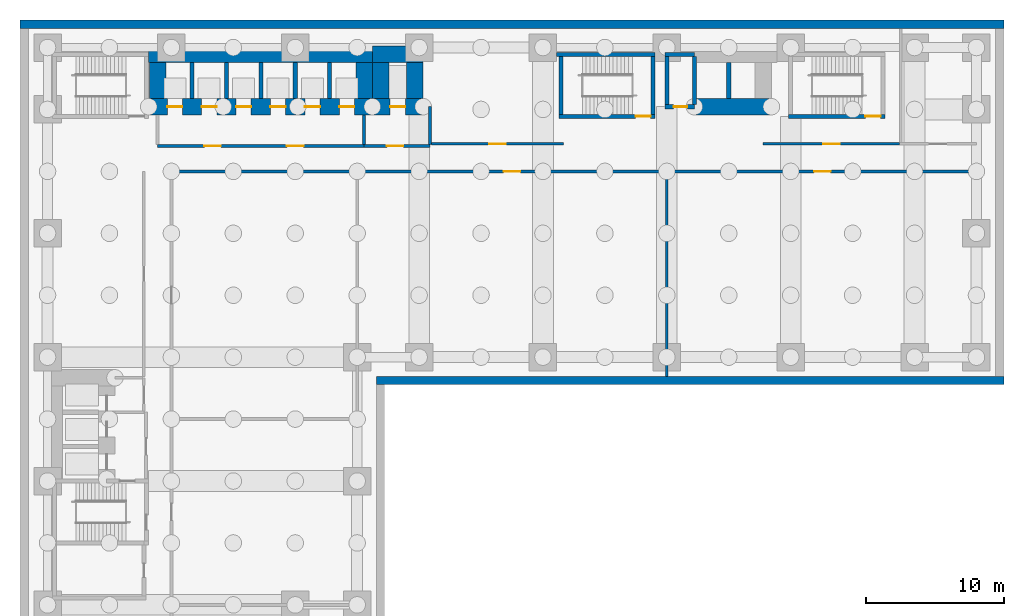
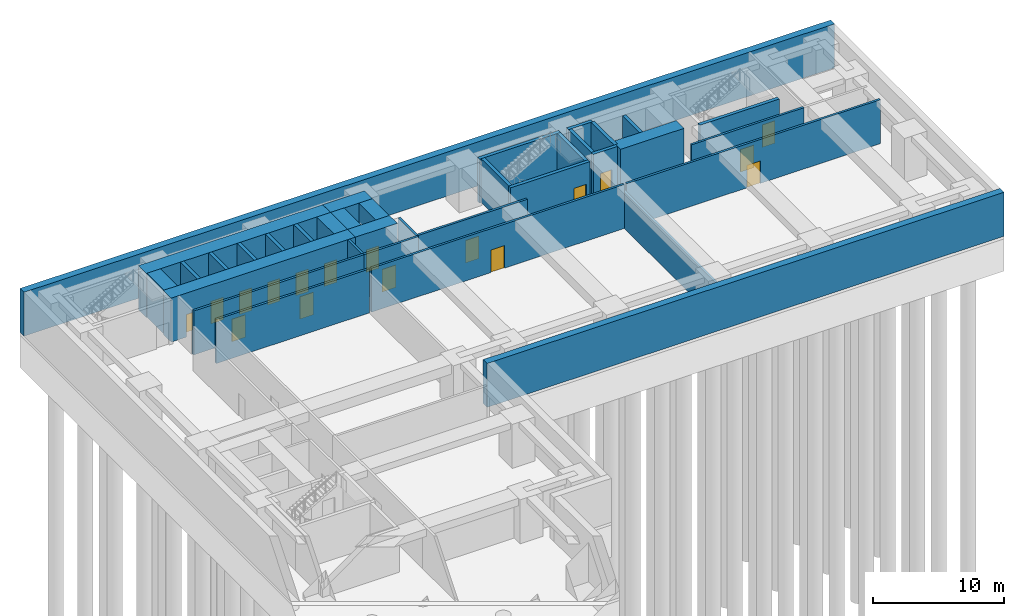
# One storey, part 4 of 7: 36 walls, 17 doors, 17 openings.
"""IFC4 building model written with IfcOpenShell, lengths in metres."""

from ifc_helpers import new_model, si_unit, direction, frame, frame_2d, origin, place, context, subcontext, project, spatial, rectangle, extrude, material, layer, layer_set, type_object, element, fill, save


model = new_model("IFC4")

# Units and contexts
model_context = context("Model", 3, precision=1e-05, world=origin(), true_north=direction((0.0, 1.0)))
body_context = subcontext(model_context, "Body", "Model", "MODEL_VIEW")
ifc_project = project(units=[si_unit("LENGTHUNIT", "METRE"), si_unit("AREAUNIT", "SQUARE_METRE"), si_unit("VOLUMEUNIT", "CUBIC_METRE"), si_unit("PLANEANGLEUNIT", "RADIAN"), si_unit("MASSUNIT", "GRAM", prefix="KILO")], contexts=[model_context])

# Site, building, storey
site_placement = place(None, origin())
site = spatial("IfcSite", under=ifc_project, at=site_placement, CompositionType="ELEMENT")
building_placement = place(site_placement, origin())
building = spatial("IfcBuilding", under=site, at=building_placement, Name="Firuza Court", CompositionType="ELEMENT")
storey_placement = place(building_placement, frame((0.0, 0.0, -9.0)))
storey = spatial("IfcBuildingStorey", under=building, at=storey_placement, Name="B2", CompositionType="ELEMENT", Elevation=-9.0)

# Wall, openings, doors
ifc_material_1 = material(Name="Concrete C35/45", Category="concrete")
ifc_layer_1 = layer(ifc_material_1, 1.199951171875)
ifc_layer_set_1 = layer_set([ifc_layer_1], Name="Concrete C35/45")
wall_type_1 = type_object("IfcWallType", Name="Basement core wall 1200", PredefinedType="SHEAR", material=ifc_layer_set_1)
wall_1_placement = place(storey_placement, frame((7.35009765625, 54.199951171875, 0.0), z_axis=(0.0, 0.0, 1.0), x_axis=(1.0, 0.0, 0.0)))
wall_1 = element("IfcWall", 1, at=wall_1_placement, inside=storey, type_object=wall_type_1, Name="Core wall B2 016", PredefinedType="SHEAR", context=body_context, shape_type="SweptSolid", body=[
    extrude(rectangle(XDim=16.25, YDim=1.199951171875, at=frame_2d((8.125, 0.0))), origin(), (0.0, 0.0, 1.0), 4.10009765625),
])
opening_1_placement = place(wall_1_placement, frame((1.35009765625, 0.0, 0.0)))
opening_1 = element("IfcOpeningElement", 2, at=opening_1_placement, cuts=wall_1, Name="Opening LD-LB1-B2", PredefinedType="OPENING", context=body_context, shape_type="SweptSolid", body=[
    extrude(rectangle(XDim=1.10009765625, YDim=2.10009765625, at=frame_2d((0.550048828125, 1.050048828125))), frame((0.0, 0.61181640625, 0.0), z_axis=(0.0, -1.0, 0.0), x_axis=(1.0, 0.0, 0.0)), (0.0, 0.0, 1.0), 1.223876953125),
])
opening_2_placement = place(wall_1_placement, frame((3.85009765625, 0.0, 0.0)))
opening_2 = element("IfcOpeningElement", 3, at=opening_2_placement, cuts=wall_1, Name="Opening LD-LB2-B2", PredefinedType="OPENING", context=body_context, shape_type="SweptSolid", body=[
    extrude(rectangle(XDim=1.10009765625, YDim=2.10009765625, at=frame_2d((0.550048828125, 1.050048828125))), frame((0.0, 0.61181640625, 0.0), z_axis=(0.0, -1.0, 0.0), x_axis=(1.0, 0.0, 0.0)), (0.0, 0.0, 1.0), 1.223876953125),
])
opening_3_placement = place(wall_1_placement, frame((6.35009765625, 0.0, 0.0)))
opening_3 = element("IfcOpeningElement", 4, at=opening_3_placement, cuts=wall_1, Name="Opening LD-LB3-B2", PredefinedType="OPENING", context=body_context, shape_type="SweptSolid", body=[
    extrude(rectangle(XDim=1.10009765625, YDim=2.10009765625, at=frame_2d((0.550048828125, 1.050048828125))), frame((0.0, 0.61181640625, 0.0), z_axis=(0.0, -1.0, 0.0), x_axis=(1.0, 0.0, 0.0)), (0.0, 0.0, 1.0), 1.223876953125),
])
opening_4_placement = place(wall_1_placement, frame((8.85009765625, 0.0, 0.0)))
opening_4 = element("IfcOpeningElement", 5, at=opening_4_placement, cuts=wall_1, Name="Opening LD-LB4-B2", PredefinedType="OPENING", context=body_context, shape_type="SweptSolid", body=[
    extrude(rectangle(XDim=1.10009765625, YDim=2.10009765625, at=frame_2d((0.550048828125, 1.050048828125))), frame((0.0, 0.61181640625, 0.0), z_axis=(0.0, -1.0, 0.0), x_axis=(1.0, 0.0, 0.0)), (0.0, 0.0, 1.0), 1.223876953125),
])
opening_5_placement = place(wall_1_placement, frame((11.35009765625, 0.0, 0.0)))
opening_5 = element("IfcOpeningElement", 6, at=opening_5_placement, cuts=wall_1, Name="Opening LD-LB5-B2", PredefinedType="OPENING", context=body_context, shape_type="SweptSolid", body=[
    extrude(rectangle(XDim=1.10009765625, YDim=2.10009765625, at=frame_2d((0.550048828125, 1.050048828125))), frame((0.0, 0.61181640625, 0.0), z_axis=(0.0, -1.0, 0.0), x_axis=(1.0, 0.0, 0.0)), (0.0, 0.0, 1.0), 1.223876953125),
])
opening_6_placement = place(wall_1_placement, frame((13.85009765625, 0.0, 0.0)))
opening_6 = element("IfcOpeningElement", 7, at=opening_6_placement, cuts=wall_1, Name="Opening LD-LB6-B2", PredefinedType="OPENING", context=body_context, shape_type="SweptSolid", body=[
    extrude(rectangle(XDim=1.10009765625, YDim=2.10009765625, at=frame_2d((0.550048828125, 1.050048828125))), frame((0.0, 0.61181640625, 0.0), z_axis=(0.0, -1.0, 0.0), x_axis=(1.0, 0.0, 0.0)), (0.0, 0.0, 1.0), 1.223876953125),
])
ifc_material_2 = material(Name="Stainless steel 1.4301 door leaf", Category="steel")
door_type_1 = type_object("IfcDoorType", Name="Lift landing door 1100", OperationType="SLIDING_TO_LEFT", PredefinedType="DOOR", material=ifc_material_2)
door_1_placement = place(opening_1_placement, origin())
door_1 = element("IfcDoor", 8, at=door_1_placement, inside=storey, type_object=door_type_1, Name="Landing door LB1", OperationType="SLIDING_TO_LEFT", OverallHeight=2.10009765625, OverallWidth=1.10009765625, PredefinedType="DOOR", context=body_context, shape_type="SweptSolid", body=[
    extrude(rectangle(XDim=1.10009765625, YDim=2.10009765625, at=frame_2d((0.550048828125, 1.050048828125))), frame((0.0, 0.02490234375, 0.0), z_axis=(0.0, -1.0, 0.0), x_axis=(1.0, 0.0, 0.0)), (0.0, 0.0, 1.0), 0.050048828125),
])
fill(opening_1, door_1)
door_2_placement = place(opening_2_placement, origin())
door_2 = element("IfcDoor", 9, at=door_2_placement, inside=storey, type_object=door_type_1, Name="Landing door LB2", OperationType="SLIDING_TO_LEFT", OverallHeight=2.10009765625, OverallWidth=1.10009765625, PredefinedType="DOOR", context=body_context, shape_type="SweptSolid", body=[
    extrude(rectangle(XDim=1.10009765625, YDim=2.10009765625, at=frame_2d((0.550048828125, 1.050048828125))), frame((0.0, 0.02490234375, 0.0), z_axis=(0.0, -1.0, 0.0), x_axis=(1.0, 0.0, 0.0)), (0.0, 0.0, 1.0), 0.050048828125),
])
fill(opening_2, door_2)
door_3_placement = place(opening_3_placement, origin())
door_3 = element("IfcDoor", 10, at=door_3_placement, inside=storey, type_object=door_type_1, Name="Landing door LB3", OperationType="SLIDING_TO_LEFT", OverallHeight=2.10009765625, OverallWidth=1.10009765625, PredefinedType="DOOR", context=body_context, shape_type="SweptSolid", body=[
    extrude(rectangle(XDim=1.10009765625, YDim=2.10009765625, at=frame_2d((0.550048828125, 1.050048828125))), frame((0.0, 0.02490234375, 0.0), z_axis=(0.0, -1.0, 0.0), x_axis=(1.0, 0.0, 0.0)), (0.0, 0.0, 1.0), 0.050048828125),
])
fill(opening_3, door_3)
door_4_placement = place(opening_4_placement, origin())
door_4 = element("IfcDoor", 11, at=door_4_placement, inside=storey, type_object=door_type_1, Name="Landing door LB4", OperationType="SLIDING_TO_LEFT", OverallHeight=2.10009765625, OverallWidth=1.10009765625, PredefinedType="DOOR", context=body_context, shape_type="SweptSolid", body=[
    extrude(rectangle(XDim=1.10009765625, YDim=2.10009765625, at=frame_2d((0.550048828125, 1.050048828125))), frame((0.0, 0.02490234375, 0.0), z_axis=(0.0, -1.0, 0.0), x_axis=(1.0, 0.0, 0.0)), (0.0, 0.0, 1.0), 0.050048828125),
])
fill(opening_4, door_4)
door_5_placement = place(opening_5_placement, origin())
door_5 = element("IfcDoor", 12, at=door_5_placement, inside=storey, type_object=door_type_1, Name="Landing door LB5", OperationType="SLIDING_TO_LEFT", OverallHeight=2.10009765625, OverallWidth=1.10009765625, PredefinedType="DOOR", context=body_context, shape_type="SweptSolid", body=[
    extrude(rectangle(XDim=1.10009765625, YDim=2.10009765625, at=frame_2d((0.550048828125, 1.050048828125))), frame((0.0, 0.02490234375, 0.0), z_axis=(0.0, -1.0, 0.0), x_axis=(1.0, 0.0, 0.0)), (0.0, 0.0, 1.0), 0.050048828125),
])
fill(opening_5, door_5)
door_6_placement = place(opening_6_placement, origin())
door_6 = element("IfcDoor", 13, at=door_6_placement, inside=storey, type_object=door_type_1, Name="Landing door LB6", OperationType="SLIDING_TO_LEFT", OverallHeight=2.10009765625, OverallWidth=1.10009765625, PredefinedType="DOOR", context=body_context, shape_type="SweptSolid", body=[
    extrude(rectangle(XDim=1.10009765625, YDim=2.10009765625, at=frame_2d((0.550048828125, 1.050048828125))), frame((0.0, 0.02490234375, 0.0), z_axis=(0.0, -1.0, 0.0), x_axis=(1.0, 0.0, 0.0)), (0.0, 0.0, 1.0), 0.050048828125),
])
fill(opening_6, door_6)

# Wall, opening, door
wall_2_placement = place(storey_placement, frame((23.60009765625, 54.199951171875, 0.0), z_axis=(0.0, 0.0, 1.0), x_axis=(1.0, 0.0, 0.0)))
wall_2 = element("IfcWall", 14, at=wall_2_placement, inside=storey, type_object=wall_type_1, Name="Core wall B2 017", PredefinedType="SHEAR", context=body_context, shape_type="SweptSolid", body=[
    extrude(rectangle(XDim=3.699951171875, YDim=1.199951171875, at=frame_2d((1.85009765625, 0.0))), origin(), (0.0, 0.0, 1.0), 4.10009765625),
])
opening_7_placement = place(wall_2_placement, frame((1.300048828125, 0.0, 0.0)))
opening_7 = element("IfcOpeningElement", 15, at=opening_7_placement, cuts=wall_2, Name="Opening LD-FL3-B2", PredefinedType="OPENING", context=body_context, shape_type="SweptSolid", body=[
    extrude(rectangle(XDim=1.10009765625, YDim=2.10009765625, at=frame_2d((0.550048828125, 1.050048828125))), frame((0.0, 0.61181640625, 0.0), z_axis=(0.0, -1.0, 0.0), x_axis=(1.0, 0.0, 0.0)), (0.0, 0.0, 1.0), 1.223876953125),
])
door_7_placement = place(opening_7_placement, origin())
door_7 = element("IfcDoor", 16, at=door_7_placement, inside=storey, type_object=door_type_1, Name="Landing door FL3", OperationType="SLIDING_TO_LEFT", OverallHeight=2.10009765625, OverallWidth=1.10009765625, PredefinedType="DOOR", context=body_context, shape_type="SweptSolid", body=[
    extrude(rectangle(XDim=1.10009765625, YDim=2.10009765625, at=frame_2d((0.550048828125, 1.050048828125))), frame((0.0, 0.02490234375, 0.0), z_axis=(0.0, -1.0, 0.0), x_axis=(1.0, 0.0, 0.0)), (0.0, 0.0, 1.0), 0.050048828125),
])
fill(opening_7, door_7)

# Walls
wall_3_placement = place(storey_placement, frame((47.0, 54.199951171875, 0.0), z_axis=(0.0, 0.0, 1.0), x_axis=(1.0, 0.0, 0.0)))
element("IfcWall", 17, at=wall_3_placement, inside=storey, type_object=wall_type_1, Name="Core wall B2 019", PredefinedType="SHEAR", context=body_context, shape_type="SweptSolid", body=[
    extrude(rectangle(XDim=5.60009765625, YDim=1.199951171875, at=frame_2d((2.800048828125, 0.0))), origin(), (0.0, 0.0, 1.0), 4.10009765625),
])
wall_4_placement = place(storey_placement, frame((7.35009765625, 58.0, 0.0), z_axis=(0.0, 0.0, 1.0), x_axis=(1.0, 0.0, 0.0)))
element("IfcWall", 18, at=wall_4_placement, inside=storey, type_object=wall_type_1, Name="Core wall B2 021", PredefinedType="SHEAR", context=body_context, shape_type="SweptSolid", body=[
    extrude(rectangle(XDim=16.25, YDim=1.199951171875, at=frame_2d((8.125, 0.0))), origin(), (0.0, 0.0, 1.0), 4.10009765625),
])
wall_5_placement = place(storey_placement, frame((23.60009765625, 58.0, 0.0), z_axis=(0.0, 0.0, 1.0), x_axis=(1.0, 0.0, 0.0)))
element("IfcWall", 19, at=wall_5_placement, inside=storey, type_object=wall_type_1, Name="Core wall B2 022", PredefinedType="SHEAR", context=body_context, shape_type="SweptSolid", body=[
    extrude(rectangle(XDim=3.699951171875, YDim=1.199951171875, at=frame_2d((1.85009765625, 0.0))), origin(), (0.0, 0.0, 1.0), 4.10009765625),
])
for number, where, z_axis, x_axis, name in (
    (20, (8.0, 54.800048828125, 0.0), (0.0, 0.0, 1.0), (0.0, 1.0, 0.0), "Core wall B2 039"),
    (21, (23.0, 54.800048828125, 0.0), (0.0, 0.0, 1.0), (0.0, 1.0, 0.0), "Core wall B2 045"),
    (22, (24.199951171875, 54.800048828125, 0.0), (0.0, 0.0, 1.0), (0.0, 1.0, 0.0), "Core wall B2 046"),
    (23, (26.699951171875, 54.800048828125, 0.0), (0.0, 0.0, 1.0), (0.0, 1.0, 0.0), "Core wall B2 047"),
):
    element("IfcWall", number, at=place(storey_placement, frame(where, z_axis=z_axis, x_axis=x_axis)), inside=storey, type_object=wall_type_1, Name=name, PredefinedType="SHEAR", context=body_context, shape_type="SweptSolid", body=[
        extrude(rectangle(XDim=2.599853515625, YDim=1.199951171875, at=frame_2d((1.2998046875, 0.0))), origin(), (0.0, 0.0, 1.0), 4.10009765625),
    ])

# Wall, opening, door
ifc_layer_2 = layer(ifc_material_1, 0.300048828125)
ifc_layer_set_2 = layer_set([ifc_layer_2], Name="Concrete C35/45")
wall_type_2 = type_object("IfcWallType", Name="Basement core wall 300", PredefinedType="SHEAR", material=ifc_layer_set_2)
wall_6_placement = place(storey_placement, frame((37.14990234375, 53.5, 0.0), z_axis=(0.0, 0.0, 1.0), x_axis=(1.0, 0.0, 0.0)))
wall_6 = element("IfcWall", 24, at=wall_6_placement, inside=storey, type_object=wall_type_2, Name="Core wall B2 014", PredefinedType="SHEAR", context=body_context, shape_type="SweptSolid", body=[
    extrude(rectangle(XDim=7.0, YDim=0.300048828125, at=frame_2d((3.5, 0.0))), origin(), (0.0, 0.0, 1.0), 4.10009765625),
])
opening_8_placement = place(wall_6_placement, frame((5.580078125, 0.0, 0.0)))
opening_8 = element("IfcOpeningElement", 25, at=opening_8_placement, cuts=wall_6, Name="Opening DB2009", PredefinedType="OPENING", context=body_context, shape_type="SweptSolid", body=[
    extrude(rectangle(XDim=1.10009765625, YDim=2.10009765625, at=frame_2d((0.550048828125, 1.050048828125))), frame((0.0, 0.162109375, 0.0), z_axis=(0.0, -1.0, 0.0), x_axis=(1.0, 0.0, 0.0)), (0.0, 0.0, 1.0), 0.323974609375),
])
ifc_material_3 = material(Name="Timber door leaf in hardwood frame", Category="wood")
door_type_2 = type_object("IfcDoorType", Name="Stair door 1100", OperationType="SINGLE_SWING_LEFT", PredefinedType="DOOR", material=ifc_material_3)
door_8_placement = place(opening_8_placement, frame((1.10009765625, 0.0, 0.0), z_axis=(0.0, 0.0, 1.0), x_axis=(-1.0, 0.0, 0.0)))
door_8 = element("IfcDoor", 26, at=door_8_placement, inside=storey, type_object=door_type_2, Name="Stair door S1", OperationType="SINGLE_SWING_RIGHT", OverallHeight=2.10009765625, OverallWidth=1.10009765625, PredefinedType="DOOR", context=body_context, shape_type="SweptSolid", body=[
    extrude(rectangle(XDim=1.10009765625, YDim=2.10009765625, at=frame_2d((0.550048828125, 1.050048828125))), frame((0.0, 0.02490234375, 0.0), z_axis=(0.0, -1.0, 0.0), x_axis=(1.0, 0.0, 0.0)), (0.0, 0.0, 1.0), 0.050048828125),
])
fill(opening_8, door_8)

wall_7_placement = place(storey_placement, frame((53.85009765625, 53.5, 0.0), z_axis=(0.0, 0.0, 1.0), x_axis=(1.0, 0.0, 0.0)))
wall_7 = element("IfcWall", 27, at=wall_7_placement, inside=storey, type_object=wall_type_2, Name="Core wall B2 015", PredefinedType="SHEAR", context=body_context, shape_type="SweptSolid", body=[
    extrude(rectangle(XDim=7.0, YDim=0.300048828125, at=frame_2d((3.5, 0.0))), origin(), (0.0, 0.0, 1.0), 4.10009765625),
])
opening_9_placement = place(wall_7_placement, frame((5.580078125, 0.0, 0.0)))
opening_9 = element("IfcOpeningElement", 28, at=opening_9_placement, cuts=wall_7, Name="Opening DB2013", PredefinedType="OPENING", context=body_context, shape_type="SweptSolid", body=[
    extrude(rectangle(XDim=1.10009765625, YDim=2.10009765625, at=frame_2d((0.550048828125, 1.050048828125))), frame((0.0, 0.162109375, 0.0), z_axis=(0.0, -1.0, 0.0), x_axis=(1.0, 0.0, 0.0)), (0.0, 0.0, 1.0), 0.323974609375),
])
door_9_placement = place(opening_9_placement, origin())
door_9 = element("IfcDoor", 29, at=door_9_placement, inside=storey, type_object=door_type_2, Name="Stair door S4", OperationType="SINGLE_SWING_RIGHT", OverallHeight=2.10009765625, OverallWidth=1.10009765625, PredefinedType="DOOR", context=body_context, shape_type="SweptSolid", body=[
    extrude(rectangle(XDim=1.10009765625, YDim=2.10009765625, at=frame_2d((0.550048828125, 1.050048828125))), frame((0.0, 0.02490234375, 0.0), z_axis=(0.0, -1.0, 0.0), x_axis=(1.0, 0.0, 0.0)), (0.0, 0.0, 1.0), 0.050048828125),
])
fill(opening_9, door_9)

wall_8_placement = place(storey_placement, frame((44.85009765625, 54.199951171875, 0.0), z_axis=(0.0, 0.0, 1.0), x_axis=(1.0, 0.0, 0.0)))
wall_8 = element("IfcWall", 30, at=wall_8_placement, inside=storey, type_object=wall_type_2, Name="Core wall B2 018", PredefinedType="SHEAR", context=body_context, shape_type="SweptSolid", body=[
    extrude(rectangle(XDim=2.14990234375, YDim=0.300048828125, at=frame_2d((1.074951171875, 0.0))), origin(), (0.0, 0.0, 1.0), 4.10009765625),
])
opening_10_placement = place(wall_8_placement, frame((0.64990234375, 0.0, 0.0)))
opening_10 = element("IfcOpeningElement", 31, at=opening_10_placement, cuts=wall_8, Name="Opening DB2007", PredefinedType="OPENING", context=body_context, shape_type="SweptSolid", body=[
    extrude(rectangle(XDim=1.0, YDim=2.10009765625, at=frame_2d((0.5, 1.050048828125))), frame((0.0, 0.162109375, 0.0), z_axis=(0.0, -1.0, 0.0), x_axis=(1.0, 0.0, 0.0)), (0.0, 0.0, 1.0), 0.323974609375),
])
ifc_material_4 = material(Name="Timber door leaf in hardwood frame", Category="wood")
door_type_3 = type_object("IfcDoorType", Name="Riser door 1000", OperationType="SINGLE_SWING_LEFT", PredefinedType="DOOR", material=ifc_material_4)
door_10_placement = place(opening_10_placement, frame((1.0, 0.0, 0.0), z_axis=(0.0, 0.0, 1.0), x_axis=(-1.0, 0.0, 0.0)))
door_10 = element("IfcDoor", 32, at=door_10_placement, inside=storey, type_object=door_type_3, Name="Riser door R3", OperationType="SINGLE_SWING_RIGHT", OverallHeight=2.10009765625, OverallWidth=1.0, PredefinedType="DOOR", context=body_context, shape_type="SweptSolid", body=[
    extrude(rectangle(XDim=1.0, YDim=2.10009765625, at=frame_2d((0.5, 1.050048828125))), frame((0.0, 0.02490234375, 0.0), z_axis=(0.0, -1.0, 0.0), x_axis=(1.0, 0.0, 0.0)), (0.0, 0.0, 1.0), 0.050048828125),
])
fill(opening_10, door_10)

# Walls
wall_9_placement = place(storey_placement, frame((37.0, 58.0, 0.0), z_axis=(0.0, 0.0, 1.0), x_axis=(1.0, 0.0, 0.0)))
element("IfcWall", 33, at=wall_9_placement, inside=storey, type_object=wall_type_2, Name="Core wall B2 023", PredefinedType="SHEAR", context=body_context, shape_type="SweptSolid", body=[
    extrude(rectangle(XDim=7.14990234375, YDim=0.300048828125, at=frame_2d((3.574951171875, 0.0))), origin(), (0.0, 0.0, 1.0), 4.10009765625),
])
wall_10_placement = place(storey_placement, frame((44.85009765625, 58.0, 0.0), z_axis=(0.0, 0.0, 1.0), x_axis=(1.0, 0.0, 0.0)))
element("IfcWall", 34, at=wall_10_placement, inside=storey, type_object=wall_type_2, Name="Core wall B2 024", PredefinedType="SHEAR", context=body_context, shape_type="SweptSolid", body=[
    extrude(rectangle(XDim=2.14990234375, YDim=0.300048828125, at=frame_2d((1.074951171875, 0.0))), origin(), (0.0, 0.0, 1.0), 4.10009765625),
])
for number, where, z_axis, x_axis, name in (
    (35, (10.5, 54.800048828125, 0.0), (0.0, 0.0, 1.0), (0.0, 1.0, 0.0), "Core wall B2 040"),
    (36, (13.0, 54.800048828125, 0.0), (0.0, 0.0, 1.0), (0.0, 1.0, 0.0), "Core wall B2 041"),
    (37, (15.5, 54.800048828125, 0.0), (0.0, 0.0, 1.0), (0.0, 1.0, 0.0), "Core wall B2 042"),
    (38, (18.0, 54.800048828125, 0.0), (0.0, 0.0, 1.0), (0.0, 1.0, 0.0), "Core wall B2 043"),
    (39, (20.5, 54.800048828125, 0.0), (0.0, 0.0, 1.0), (0.0, 1.0, 0.0), "Core wall B2 044"),
):
    element("IfcWall", number, at=place(storey_placement, frame(where, z_axis=z_axis, x_axis=x_axis)), inside=storey, type_object=wall_type_2, Name=name, PredefinedType="SHEAR", context=body_context, shape_type="SweptSolid", body=[
        extrude(rectangle(XDim=2.599853515625, YDim=0.300048828125, at=frame_2d((1.2998046875, 0.0))), origin(), (0.0, 0.0, 1.0), 4.10009765625),
    ])
for number, where, z_axis, x_axis, name in (
    (40, (37.300048828125, 53.64990234375, 0.0), (0.0, 0.0, 1.0), (0.0, 1.0, 0.0), "Core wall B2 048"),
    (41, (44.0, 53.64990234375, 0.0), (0.0, 0.0, 1.0), (0.0, 1.0, 0.0), "Core wall B2 049"),
):
    element("IfcWall", number, at=place(storey_placement, frame(where, z_axis=z_axis, x_axis=x_axis)), inside=storey, type_object=wall_type_2, Name=name, PredefinedType="SHEAR", context=body_context, shape_type="SweptSolid", body=[
        extrude(rectangle(XDim=4.2001953125, YDim=0.300048828125, at=frame_2d((2.10009765625, 0.0))), origin(), (0.0, 0.0, 1.0), 4.10009765625),
    ])
for number, where, z_axis, x_axis, name in (
    (42, (45.0, 54.35009765625, 0.0), (0.0, 0.0, 1.0), (0.0, 1.0, 0.0), "Core wall B2 050"),
    (43, (47.0, 54.35009765625, 0.0), (0.0, 0.0, 1.0), (0.0, 1.0, 0.0), "Core wall B2 051"),
):
    element("IfcWall", number, at=place(storey_placement, frame(where, z_axis=z_axis, x_axis=x_axis)), inside=storey, type_object=wall_type_2, Name=name, PredefinedType="SHEAR", context=body_context, shape_type="SweptSolid", body=[
        extrude(rectangle(XDim=3.5, YDim=0.300048828125, at=frame_2d((1.75, 0.0))), origin(), (0.0, 0.0, 1.0), 4.10009765625),
    ])
wall_11_placement = place(storey_placement, frame((49.5, 54.800048828125, 0.0), z_axis=(0.0, 0.0, 1.0), x_axis=(0.0, 1.0, 0.0)))
element("IfcWall", 44, at=wall_11_placement, inside=storey, type_object=wall_type_2, Name="Core wall B2 052", PredefinedType="SHEAR", context=body_context, shape_type="SweptSolid", body=[
    extrude(rectangle(XDim=2.599853515625, YDim=0.300048828125, at=frame_2d((1.2998046875, 0.0))), origin(), (0.0, 0.0, 1.0), 4.10009765625),
])
ifc_material_5 = material(Name="Blockwork, fire-rated", Category="masonry")
ifc_layer_3 = layer(ifc_material_5, 0.199951171875)
ifc_layer_set_3 = layer_set([ifc_layer_3], Name="Blockwork, fire-rated")
wall_type_3 = type_object("IfcWallType", Name="Plant room wall 200", PredefinedType="PARTITIONING", material=ifc_layer_set_3)
wall_12_placement = place(storey_placement, frame((8.89990234375, 49.5, 0.0), z_axis=(0.0, 0.0, 1.0), x_axis=(1.0, 0.0, 0.0)))
element("IfcWall", 45, at=wall_12_placement, inside=storey, type_object=wall_type_3, Name="Plant room wall 200 B2", PredefinedType="PARTITIONING", context=body_context, shape_type="SweptSolid", body=[
    extrude(rectangle(XDim=13.5, YDim=0.199951171875, at=frame_2d((6.75, 0.0))), origin(), (0.0, 0.0, 1.0), 4.10009765625),
])

# Wall, opening, door
wall_13_placement = place(storey_placement, frame((22.60009765625, 49.5, 0.0), z_axis=(0.0, 0.0, 1.0), x_axis=(1.0, 0.0, 0.0)))
wall_13 = element("IfcWall", 46, at=wall_13_placement, inside=storey, type_object=wall_type_3, Name="Plant room wall 200 B2", PredefinedType="PARTITIONING", context=body_context, shape_type="SweptSolid", body=[
    extrude(rectangle(XDim=22.2998046875, YDim=0.199951171875, at=frame_2d((11.14990234375, 0.0))), origin(), (0.0, 0.0, 1.0), 4.10009765625),
])
opening_11_placement = place(wall_13_placement, frame((10.550048828125, 0.0, 0.0)))
opening_11 = element("IfcOpeningElement", 47, at=opening_11_placement, cuts=wall_13, Name="Opening DB2019", PredefinedType="OPENING", context=body_context, shape_type="SweptSolid", body=[
    extrude(rectangle(XDim=1.199951171875, YDim=2.10009765625, at=frame_2d((0.60009765625, 1.050048828125))), frame((0.0, 0.11181640625, 0.0), z_axis=(0.0, -1.0, 0.0), x_axis=(1.0, 0.0, 0.0)), (0.0, 0.0, 1.0), 0.223876953125),
])
ifc_material_6 = material(Name="Timber door leaf in hardwood frame", Category="wood")
door_type_4 = type_object("IfcDoorType", Name="Plant room door 1200", OperationType="SINGLE_SWING_LEFT", PredefinedType="DOOR", material=ifc_material_6)
door_11_placement = place(opening_11_placement, frame((1.199951171875, 0.0, 0.0), z_axis=(0.0, 0.0, 1.0), x_axis=(-1.0, 0.0, 0.0)))
door_11 = element("IfcDoor", 48, at=door_11_placement, inside=storey, type_object=door_type_4, Name="Plant door", OperationType="SINGLE_SWING_RIGHT", OverallHeight=2.10009765625, OverallWidth=1.199951171875, PredefinedType="DOOR", context=body_context, shape_type="SweptSolid", body=[
    extrude(rectangle(XDim=1.199951171875, YDim=2.10009765625, at=frame_2d((0.60009765625, 1.050048828125))), frame((0.0, 0.02490234375, 0.0), z_axis=(0.0, -1.0, 0.0), x_axis=(1.0, 0.0, 0.0)), (0.0, 0.0, 1.0), 0.050048828125),
])
fill(opening_11, door_11)

# Wall
wall_14_placement = place(storey_placement, frame((45.0, 49.60009765625, 0.0), z_axis=(0.0, 0.0, 1.0), x_axis=(0.0, -1.0, 0.0)))
element("IfcWall", 49, at=wall_14_placement, inside=storey, type_object=wall_type_3, Name="Plant room wall 200 B2", PredefinedType="PARTITIONING", context=body_context, shape_type="SweptSolid", body=[
    extrude(rectangle(XDim=15.0, YDim=0.199951171875, at=frame_2d((7.5, 0.0))), origin(), (0.0, 0.0, 1.0), 3.39990234375),
])

# Wall, opening, door
wall_15_placement = place(storey_placement, frame((45.10009765625, 49.5, 0.0), z_axis=(0.0, 0.0, 1.0), x_axis=(1.0, 0.0, 0.0)))
wall_15 = element("IfcWall", 50, at=wall_15_placement, inside=storey, type_object=wall_type_3, Name="Plant room wall 200 B2", PredefinedType="PARTITIONING", context=body_context, shape_type="SweptSolid", body=[
    extrude(rectangle(XDim=22.39990234375, YDim=0.199951171875, at=frame_2d((11.199951171875, 0.0))), origin(), (0.0, 0.0, 1.0), 4.10009765625),
])
opening_12_placement = place(wall_15_placement, frame((10.60009765625, 0.0, 0.0)))
opening_12 = element("IfcOpeningElement", 51, at=opening_12_placement, cuts=wall_15, Name="Opening DB2020", PredefinedType="OPENING", context=body_context, shape_type="SweptSolid", body=[
    extrude(rectangle(XDim=1.199951171875, YDim=2.10009765625, at=frame_2d((0.60009765625, 1.050048828125))), frame((0.0, 0.11181640625, 0.0), z_axis=(0.0, -1.0, 0.0), x_axis=(1.0, 0.0, 0.0)), (0.0, 0.0, 1.0), 0.223876953125),
])
door_12_placement = place(opening_12_placement, frame((1.199951171875, 0.0, 0.0), z_axis=(0.0, 0.0, 1.0), x_axis=(-1.0, 0.0, 0.0)))
door_12 = element("IfcDoor", 52, at=door_12_placement, inside=storey, type_object=door_type_4, Name="Plant door", OperationType="SINGLE_SWING_RIGHT", OverallHeight=2.10009765625, OverallWidth=1.199951171875, PredefinedType="DOOR", context=body_context, shape_type="SweptSolid", body=[
    extrude(rectangle(XDim=1.199951171875, YDim=2.10009765625, at=frame_2d((0.60009765625, 1.050048828125))), frame((0.0, 0.02490234375, 0.0), z_axis=(0.0, -1.0, 0.0), x_axis=(1.0, 0.0, 0.0)), (0.0, 0.0, 1.0), 0.050048828125),
])
fill(opening_12, door_12)

wall_16_placement = place(storey_placement, frame((37.5, 51.5, 0.0), z_axis=(0.0, 0.0, 1.0), x_axis=(-1.0, 0.0, 0.0)))
wall_16 = element("IfcWall", 53, at=wall_16_placement, inside=storey, type_object=wall_type_3, Name="Plant room wall 200 B2", PredefinedType="PARTITIONING", context=body_context, shape_type="SweptSolid", body=[
    extrude(rectangle(XDim=9.60009765625, YDim=0.199951171875, at=frame_2d((4.800048828125, 0.0))), origin(), (0.0, 0.0, 1.0), 4.10009765625),
])
opening_13_placement = place(wall_16_placement, frame((4.199951171875, 0.0, 0.0)))
opening_13 = element("IfcOpeningElement", 54, at=opening_13_placement, cuts=wall_16, Name="Opening DB2021", PredefinedType="OPENING", context=body_context, shape_type="SweptSolid", body=[
    extrude(rectangle(XDim=1.199951171875, YDim=2.10009765625, at=frame_2d((0.60009765625, 1.050048828125))), frame((0.0, 0.11181640625, 0.0), z_axis=(0.0, -1.0, 0.0), x_axis=(1.0, 0.0, 0.0)), (0.0, 0.0, 1.0), 0.223876953125),
])
door_13_placement = place(opening_13_placement, frame((1.199951171875, 0.0, 0.0), z_axis=(0.0, 0.0, 1.0), x_axis=(-1.0, 0.0, 0.0)))
door_13 = element("IfcDoor", 55, at=door_13_placement, inside=storey, type_object=door_type_4, Name="Plant door", OperationType="SINGLE_SWING_RIGHT", OverallHeight=2.10009765625, OverallWidth=1.199951171875, PredefinedType="DOOR", context=body_context, shape_type="SweptSolid", body=[
    extrude(rectangle(XDim=1.199951171875, YDim=2.10009765625, at=frame_2d((0.60009765625, 1.050048828125))), frame((0.0, 0.02490234375, 0.0), z_axis=(0.0, -1.0, 0.0), x_axis=(1.0, 0.0, 0.0)), (0.0, 0.0, 1.0), 0.050048828125),
])
fill(opening_13, door_13)

wall_17_placement = place(storey_placement, frame((61.89990234375, 51.5, 0.0), z_axis=(0.0, 0.0, 1.0), x_axis=(-1.0, 0.0, 0.0)))
wall_17 = element("IfcWall", 56, at=wall_17_placement, inside=storey, type_object=wall_type_3, Name="Plant room wall 200 B2", PredefinedType="PARTITIONING", context=body_context, shape_type="SweptSolid", body=[
    extrude(rectangle(XDim=9.89990234375, YDim=0.199951171875, at=frame_2d((4.949951171875, 0.0))), origin(), (0.0, 0.0, 1.0), 4.10009765625),
])
opening_14_placement = place(wall_17_placement, frame((4.35009765625, 0.0, 0.0)))
opening_14 = element("IfcOpeningElement", 57, at=opening_14_placement, cuts=wall_17, Name="Opening DB2022", PredefinedType="OPENING", context=body_context, shape_type="SweptSolid", body=[
    extrude(rectangle(XDim=1.199951171875, YDim=2.10009765625, at=frame_2d((0.60009765625, 1.050048828125))), frame((0.0, 0.11181640625, 0.0), z_axis=(0.0, -1.0, 0.0), x_axis=(1.0, 0.0, 0.0)), (0.0, 0.0, 1.0), 0.223876953125),
])
door_14_placement = place(opening_14_placement, frame((1.199951171875, 0.0, 0.0), z_axis=(0.0, 0.0, 1.0), x_axis=(-1.0, 0.0, 0.0)))
door_14 = element("IfcDoor", 58, at=door_14_placement, inside=storey, type_object=door_type_4, Name="Plant door", OperationType="SINGLE_SWING_RIGHT", OverallHeight=2.10009765625, OverallWidth=1.199951171875, PredefinedType="DOOR", context=body_context, shape_type="SweptSolid", body=[
    extrude(rectangle(XDim=1.199951171875, YDim=2.10009765625, at=frame_2d((0.60009765625, 1.050048828125))), frame((0.0, 0.02490234375, 0.0), z_axis=(0.0, -1.0, 0.0), x_axis=(1.0, 0.0, 0.0)), (0.0, 0.0, 1.0), 0.050048828125),
])
fill(opening_14, door_14)

# Walls
ifc_layer_4 = layer(ifc_material_1, 0.60009765625)
ifc_layer_set_4 = layer_set([ifc_layer_4], Name="Concrete C35/45")
wall_type_4 = type_object("IfcWallType", Name="Retaining wall 600", PredefinedType="SOLIDWALL", material=ifc_layer_set_4)
wall_18_placement = place(storey_placement, frame((-2.0, 60.199951171875, 0.0), z_axis=(0.0, 0.0, 1.0), x_axis=(1.0, 0.0, 0.0)))
element("IfcWall", 59, at=wall_18_placement, inside=storey, type_object=wall_type_4, Name="Basement retaining wall B2 02", PredefinedType="SOLIDWALL", context=body_context, shape_type="SweptSolid", body=[
    extrude(rectangle(XDim=71.5, YDim=0.60009765625, at=frame_2d((35.75, 0.0))), origin(), (0.0, 0.0, 1.0), 4.10009765625),
])
wall_19_placement = place(storey_placement, frame((69.5, 34.300048828125, 0.0), z_axis=(0.0, 0.0, 1.0), x_axis=(-1.0, 0.0, 0.0)))
element("IfcWall", 60, at=wall_19_placement, inside=storey, type_object=wall_type_4, Name="Basement retaining wall B2 04", PredefinedType="SOLIDWALL", context=body_context, shape_type="SweptSolid", body=[
    extrude(rectangle(XDim=45.60009765625, YDim=0.60009765625, at=frame_2d((22.800048828125, 0.0))), origin(), (0.0, 0.0, 1.0), 4.10009765625),
])

# Wall, openings, doors
ifc_layer_5 = layer(ifc_material_5, 0.199951171875)
ifc_layer_set_5 = layer_set([ifc_layer_5], Name="Blockwork, fire-rated")
wall_type_5 = type_object("IfcWallType", Name="Shaft wall 200", PredefinedType="PARTITIONING", material=ifc_layer_set_5)
wall_20_placement = place(storey_placement, frame((8.0, 51.35009765625, 0.0), z_axis=(0.0, 0.0, 1.0), x_axis=(1.0, 0.0, 0.0)))
wall_20 = element("IfcWall", 61, at=wall_20_placement, inside=storey, type_object=wall_type_5, Name="Shaft wall 200 B2", PredefinedType="PARTITIONING", context=body_context, shape_type="SweptSolid", body=[
    extrude(rectangle(XDim=15.0, YDim=0.199951171875, at=frame_2d((7.5, 0.0))), origin(), (0.0, 0.0, 1.0), 4.10009765625),
])
opening_15_placement = place(wall_20_placement, frame((3.39990234375, 0.0, 0.0)))
opening_15 = element("IfcOpeningElement", 62, at=opening_15_placement, cuts=wall_20, Name="Opening DB2003", PredefinedType="OPENING", context=body_context, shape_type="SweptSolid", body=[
    extrude(rectangle(XDim=1.199951171875, YDim=2.10009765625, at=frame_2d((0.60009765625, 1.050048828125))), frame((0.0, 0.11181640625, 0.0), z_axis=(0.0, -1.0, 0.0), x_axis=(1.0, 0.0, 0.0)), (0.0, 0.0, 1.0), 0.223876953125),
])
opening_16_placement = place(wall_20_placement, frame((9.39990234375, 0.0, 0.0)))
opening_16 = element("IfcOpeningElement", 63, at=opening_16_placement, cuts=wall_20, Name="Opening DB2004", PredefinedType="OPENING", context=body_context, shape_type="SweptSolid", body=[
    extrude(rectangle(XDim=1.199951171875, YDim=2.10009765625, at=frame_2d((0.60009765625, 1.050048828125))), frame((0.0, 0.11181640625, 0.0), z_axis=(0.0, -1.0, 0.0), x_axis=(1.0, 0.0, 0.0)), (0.0, 0.0, 1.0), 0.223876953125),
])
ifc_material_7 = material(Name="Timber door leaf in hardwood frame", Category="wood")
door_type_5 = type_object("IfcDoorType", Name="Lobby door 1200", OperationType="SINGLE_SWING_LEFT", PredefinedType="DOOR", material=ifc_material_7)
door_15_placement = place(opening_15_placement, origin())
door_15 = element("IfcDoor", 64, at=door_15_placement, inside=storey, type_object=door_type_5, Name="Lobby door", OperationType="SINGLE_SWING_LEFT", OverallHeight=2.10009765625, OverallWidth=1.199951171875, PredefinedType="DOOR", context=body_context, shape_type="SweptSolid", body=[
    extrude(rectangle(XDim=1.199951171875, YDim=2.10009765625, at=frame_2d((0.60009765625, 1.050048828125))), frame((0.0, 0.02490234375, 0.0), z_axis=(0.0, -1.0, 0.0), x_axis=(1.0, 0.0, 0.0)), (0.0, 0.0, 1.0), 0.050048828125),
])
fill(opening_15, door_15)
door_16_placement = place(opening_16_placement, origin())
door_16 = element("IfcDoor", 65, at=door_16_placement, inside=storey, type_object=door_type_5, Name="Lobby door", OperationType="SINGLE_SWING_RIGHT", OverallHeight=2.10009765625, OverallWidth=1.199951171875, PredefinedType="DOOR", context=body_context, shape_type="SweptSolid", body=[
    extrude(rectangle(XDim=1.199951171875, YDim=2.10009765625, at=frame_2d((0.60009765625, 1.050048828125))), frame((0.0, 0.02490234375, 0.0), z_axis=(0.0, -1.0, 0.0), x_axis=(1.0, 0.0, 0.0)), (0.0, 0.0, 1.0), 0.050048828125),
])
fill(opening_16, door_16)

# Wall
wall_21_placement = place(storey_placement, frame((23.0, 51.449951171875, 0.0), z_axis=(0.0, 0.0, 1.0), x_axis=(0.0, 1.0, 0.0)))
element("IfcWall", 66, at=wall_21_placement, inside=storey, type_object=wall_type_5, Name="Shaft wall 200 B2", PredefinedType="PARTITIONING", context=body_context, shape_type="SweptSolid", body=[
    extrude(rectangle(XDim=2.130126953125, YDim=0.199951171875, at=frame_2d((1.06494140625, 0.0))), origin(), (0.0, 0.0, 1.0), 4.10009765625),
])

# Wall, opening, door
wall_22_placement = place(storey_placement, frame((23.0, 51.35009765625, 0.0), z_axis=(0.0, 0.0, 1.0), x_axis=(1.0, 0.0, 0.0)))
wall_22 = element("IfcWall", 67, at=wall_22_placement, inside=storey, type_object=wall_type_5, Name="Shaft wall 200 B2", PredefinedType="PARTITIONING", context=body_context, shape_type="SweptSolid", body=[
    extrude(rectangle(XDim=4.800048828125, YDim=0.199951171875, at=frame_2d((2.39990234375, 0.0))), origin(), (0.0, 0.0, 1.0), 4.10009765625),
])
opening_17_placement = place(wall_22_placement, frame((1.64990234375, 0.0, 0.0)))
opening_17 = element("IfcOpeningElement", 68, at=opening_17_placement, cuts=wall_22, Name="Opening DB2002", PredefinedType="OPENING", context=body_context, shape_type="SweptSolid", body=[
    extrude(rectangle(XDim=1.199951171875, YDim=2.10009765625, at=frame_2d((0.60009765625, 1.050048828125))), frame((0.0, 0.11181640625, 0.0), z_axis=(0.0, -1.0, 0.0), x_axis=(1.0, 0.0, 0.0)), (0.0, 0.0, 1.0), 0.223876953125),
])
door_17_placement = place(opening_17_placement, origin())
door_17 = element("IfcDoor", 69, at=door_17_placement, inside=storey, type_object=door_type_5, Name="Fire-fighting lobby door", OperationType="SINGLE_SWING_LEFT", OverallHeight=2.10009765625, OverallWidth=1.199951171875, PredefinedType="DOOR", context=body_context, shape_type="SweptSolid", body=[
    extrude(rectangle(XDim=1.199951171875, YDim=2.10009765625, at=frame_2d((0.60009765625, 1.050048828125))), frame((0.0, 0.02490234375, 0.0), z_axis=(0.0, -1.0, 0.0), x_axis=(1.0, 0.0, 0.0)), (0.0, 0.0, 1.0), 0.050048828125),
])
fill(opening_17, door_17)

# Wall
wall_23_placement = place(storey_placement, frame((27.800048828125, 51.449951171875, 0.0), z_axis=(0.0, 0.0, 1.0), x_axis=(0.0, 1.0, 0.0)))
element("IfcWall", 70, at=wall_23_placement, inside=storey, type_object=wall_type_5, Name="Shaft wall 200 B2", PredefinedType="PARTITIONING", context=body_context, shape_type="SweptSolid", body=[
    extrude(rectangle(XDim=2.75, YDim=0.199951171875, at=frame_2d((1.375, 0.0))), origin(), (0.0, 0.0, 1.0), 4.10009765625),
])

save(model, "model.ifc")
